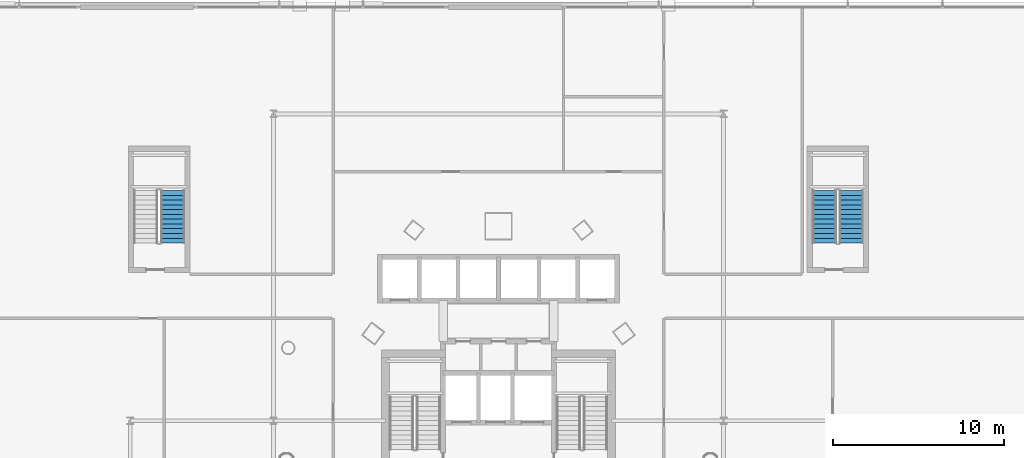
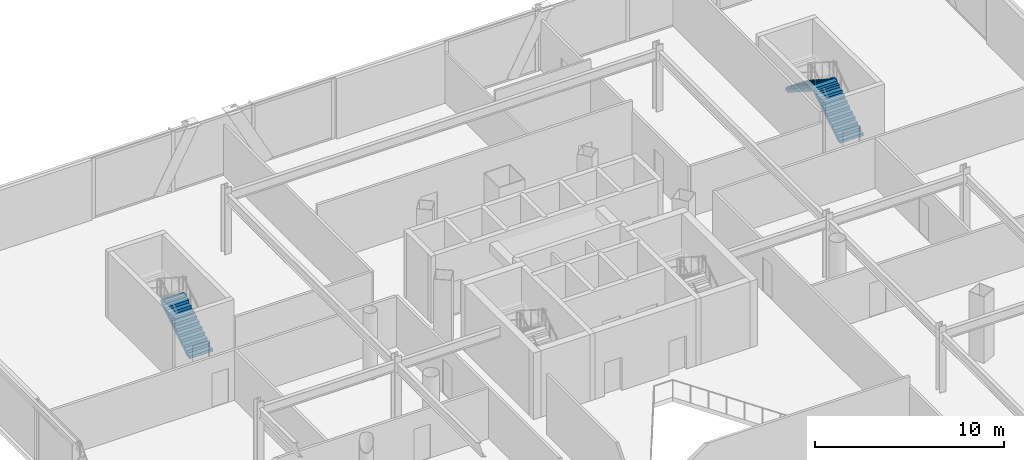
# One storey, part 39 of 46: 3 stair flights, 2 elements without a shape of their own.
"""IFC4 building model written with IfcOpenShell, lengths in metres."""

from ifc_helpers import new_model, si_unit, direction, frame, origin, place, context, subcontext, project, spatial, polyline, outline, extrude, material, type_object, element, aggregate, save


model = new_model("IFC4")

# Units and contexts
model_context = context("Model", 3, precision=1e-05, world=origin(), true_north=direction((0.0, 1.0)))
body_context = subcontext(model_context, "Body", "Model", "MODEL_VIEW")
ifc_project = project(units=[si_unit("LENGTHUNIT", "METRE"), si_unit("AREAUNIT", "SQUARE_METRE"), si_unit("VOLUMEUNIT", "CUBIC_METRE"), si_unit("PLANEANGLEUNIT", "RADIAN"), si_unit("MASSUNIT", "GRAM", prefix="KILO")], contexts=[model_context])

# Site, building, storey
site_placement = place(None, origin())
site = spatial("IfcSite", under=ifc_project, at=site_placement, CompositionType="ELEMENT")
building_placement = place(site_placement, origin())
building = spatial("IfcBuilding", under=site, at=building_placement, Name="Orvanel Arch Residences", CompositionType="ELEMENT")
storey_placement = place(building_placement, frame((0.0, 0.0, 14.10009765625)))
storey = spatial("IfcBuildingStorey", under=building, at=storey_placement, Name="L03", CompositionType="ELEMENT", Elevation=14.10009765625)

# Stair, stair flight
ifc_material = material(Name="Precast concrete N50 (50 MPa)", Category="concrete")
stair_type = type_object("IfcStairType", Name="STR-DOG-178", PredefinedType="USERDEFINED", material=ifc_material)
stair_1_placement = place(storey_placement, origin())
stair_1 = element("IfcStair", 1, at=stair_1_placement, inside=storey, type_object=stair_type, Name="L03 West Podium Fire-Isolated Exit Stair 3", ObjectType="TWO_RETURN_STAIR", PredefinedType="USERDEFINED")
stair_flight_type_1 = type_object("IfcStairFlightType", Name="SFL-C3-178", PredefinedType="STRAIGHT", material=ifc_material)
stair_flight_1_placement = place(storey_placement, frame((13.889892578125, 40.419921875, 0.0), z_axis=(0.0, 0.0, 1.0), x_axis=(0.0, 1.0, 0.0)))
stair_flight_1 = element("IfcStairFlight", 2, at=stair_flight_1_placement, type_object=stair_flight_type_1, Name="ST-3 flight 1", NumberOfRisers=12, NumberOfTreads=11, PredefinedType="STRAIGHT", RiserHeight=0.179166667, TreadLength=0.28, context=body_context, shape_type="SweptSolid", body=[
    extrude(outline(polyline([(0.0, 0.0), (0.0, 0.17919921875), (0.280029296875, 0.17919921875), (0.280029296875, 0.3583984375), (0.56005859375, 0.3583984375), (0.56005859375, 0.53759765625), (0.840087890625, 0.53759765625), (0.840087890625, 0.716552734375), (1.1201171875, 0.716552734375), (1.1201171875, 0.895751953125), (1.39990234375, 0.895751953125), (1.39990234375, 1.074951171875), (1.679931640625, 1.074951171875), (1.679931640625, 1.254150390625), (1.9599609375, 1.254150390625), (1.9599609375, 1.433349609375), (2.239990234375, 1.433349609375), (2.239990234375, 1.612548828125), (2.52001953125, 1.612548828125), (2.52001953125, 1.791748046875), (2.800048828125, 1.791748046875), (2.800048828125, 1.970947265625), (3.080078125, 1.970947265625), (3.080078125, 2.14990234375), (3.080078125, 1.79296875), (0.278076171875, 0.0), (0.0, 0.0)])), frame((0.0, 0.7099609375, 0.0), z_axis=(0.0, -1.0, 0.0), x_axis=(1.0, 0.0, 0.0)), (0.0, 0.0, 1.0), 1.419921875),
])
aggregate(stair_1, [stair_flight_1])

# Stair, stair flights
stair_2_placement = place(storey_placement, origin())
stair_2 = element("IfcStair", 3, at=stair_2_placement, inside=storey, type_object=stair_type, Name="L03 East Podium Fire-Isolated Exit Stair 4", ObjectType="TWO_RETURN_STAIR", PredefinedType="USERDEFINED")
stair_flight_type_2 = type_object("IfcStairFlightType", Name="SFL-C4-178", PredefinedType="STRAIGHT", material=ifc_material)
stair_flight_2_placement = place(storey_placement, frame((53.68994140625, 40.419921875, 0.0), z_axis=(0.0, 0.0, 1.0), x_axis=(0.0, 1.0, 0.0)))
stair_flight_2 = element("IfcStairFlight", 4, at=stair_flight_2_placement, type_object=stair_flight_type_2, Name="ST-4 flight 1", NumberOfRisers=12, NumberOfTreads=11, PredefinedType="STRAIGHT", RiserHeight=0.179166667, TreadLength=0.28, context=body_context, shape_type="SweptSolid", body=[
    extrude(outline(polyline([(0.0, 0.0), (0.0, 0.17919921875), (0.280029296875, 0.17919921875), (0.280029296875, 0.3583984375), (0.56005859375, 0.3583984375), (0.56005859375, 0.53759765625), (0.840087890625, 0.53759765625), (0.840087890625, 0.716552734375), (1.1201171875, 0.716552734375), (1.1201171875, 0.895751953125), (1.39990234375, 0.895751953125), (1.39990234375, 1.074951171875), (1.679931640625, 1.074951171875), (1.679931640625, 1.254150390625), (1.9599609375, 1.254150390625), (1.9599609375, 1.433349609375), (2.239990234375, 1.433349609375), (2.239990234375, 1.612548828125), (2.52001953125, 1.612548828125), (2.52001953125, 1.791748046875), (2.800048828125, 1.791748046875), (2.800048828125, 1.970947265625), (3.080078125, 1.970947265625), (3.080078125, 2.14990234375), (3.080078125, 1.79296875), (0.278076171875, 0.0), (0.0, 0.0)])), frame((0.0, 0.7099609375, 0.0), z_axis=(0.0, -1.0, 0.0), x_axis=(1.0, 0.0, 0.0)), (0.0, 0.0, 1.0), 1.419921875),
])
stair_flight_3_placement = place(storey_placement, frame((52.110107421875, 43.5, 2.14990234375), z_axis=(0.0, 0.0, 1.0), x_axis=(0.0, -1.0, 0.0)))
stair_flight_3 = element("IfcStairFlight", 5, at=stair_flight_3_placement, type_object=stair_flight_type_2, Name="ST-4 flight 2", NumberOfRisers=12, NumberOfTreads=11, PredefinedType="STRAIGHT", RiserHeight=0.179166667, TreadLength=0.28, context=body_context, shape_type="SweptSolid", body=[
    extrude(outline(polyline([(0.0, 0.0), (0.0, 0.17919921875), (0.280029296875, 0.17919921875), (0.280029296875, 0.3583984375), (0.56005859375, 0.3583984375), (0.56005859375, 0.53759765625), (0.840087890625, 0.53759765625), (0.840087890625, 0.716552734375), (1.1201171875, 0.716552734375), (1.1201171875, 0.895751953125), (1.39990234375, 0.895751953125), (1.39990234375, 1.074951171875), (1.679931640625, 1.074951171875), (1.679931640625, 1.254150390625), (1.9599609375, 1.254150390625), (1.9599609375, 1.433349609375), (2.239990234375, 1.433349609375), (2.239990234375, 1.612548828125), (2.52001953125, 1.612548828125), (2.52001953125, 1.791748046875), (2.800048828125, 1.791748046875), (2.800048828125, 1.970947265625), (3.080078125, 1.970947265625), (3.080078125, 2.14990234375), (3.080078125, 1.79296875), (0.278076171875, 0.0), (0.0, 0.0)])), frame((0.0, 0.7099609375, 0.0), z_axis=(0.0, -1.0, 0.0), x_axis=(1.0, 0.0, 0.0)), (0.0, 0.0, 1.0), 1.419921875),
])
aggregate(stair_2, [stair_flight_2, stair_flight_3])

save(model, "model.ifc")
